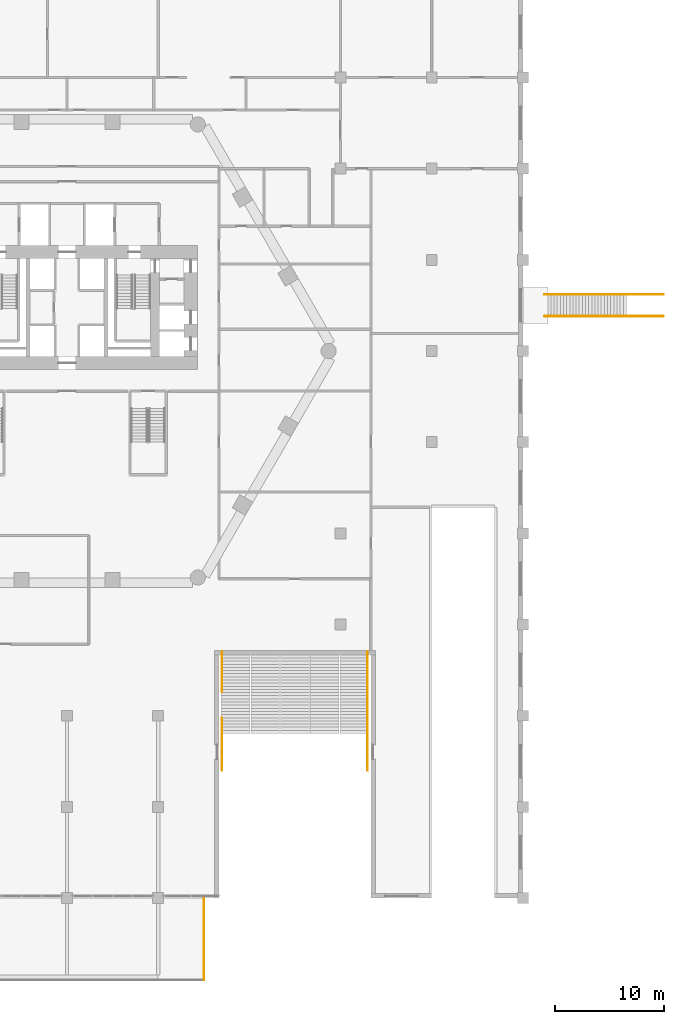
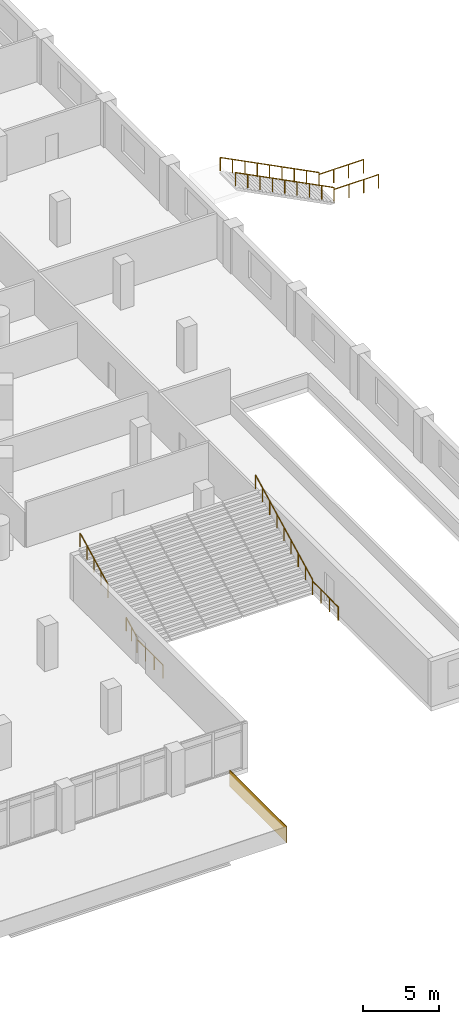
# One storey, part 22 of 24: 9 railings, 1 covering.
"""IFC4 building model written with IfcOpenShell, lengths in metres."""

from ifc_helpers import new_model, si_unit, direction, frame, origin, origin_2d, place, context, subcontext, project, spatial, polyline, circle, outline, extrude, material, layer, layer_set, type_object, element, save


model = new_model("IFC4")

# Units and contexts
model_context = context("Model", 3, precision=1e-05, world=origin(), true_north=direction((0.0, 1.0)))
body_context = subcontext(model_context, "Body", "Model", "MODEL_VIEW")
ifc_project = project(units=[si_unit("LENGTHUNIT", "METRE"), si_unit("AREAUNIT", "SQUARE_METRE"), si_unit("VOLUMEUNIT", "CUBIC_METRE"), si_unit("PLANEANGLEUNIT", "RADIAN"), si_unit("MASSUNIT", "GRAM", prefix="KILO")], contexts=[model_context])

# Site, building, storey
site_placement = place(None, origin())
site = spatial("IfcSite", under=ifc_project, at=site_placement, CompositionType="ELEMENT")
building_placement = place(site_placement, origin())
building = spatial("IfcBuilding", under=site, at=building_placement, Name="Ostrander Bayou Hotel Tower", CompositionType="ELEMENT")
storey_placement = place(building_placement, frame((0.0, 0.0, 6.0)))
storey = spatial("IfcBuildingStorey", under=building, at=storey_placement, Name="L01", CompositionType="ELEMENT", Elevation=6.0)

# Covering
ifc_material_1 = material(Name="Reconstituted stone panels", Category="masonry")
ifc_layer = layer(ifc_material_1, 0.0400390625)
ifc_layer_set = layer_set([ifc_layer], Name="CV4 canopy fascia 40 mm")
covering_type = type_object("IfcCoveringType", Name="CV4 canopy fascia 40 mm", PredefinedType="CLADDING", material=ifc_layer_set)
covering_placement = place(storey_placement, frame((12.64990234375, -57.949951171875, -1.0), z_axis=(1.0, 0.0, 0.0), x_axis=(0.0, 1.0, 0.0)))
element("IfcCovering", 1, at=covering_placement, inside=storey, type_object=covering_type, Name="CV4 canopy fascia east", PredefinedType="CLADDING", context=body_context, shape_type="SweptSolid", body=[
    extrude(outline(polyline([(0.0, 0.0), (7.550048828125, 0.0), (7.550048828125, 1.300048828125), (0.0, 1.300048828125), (0.0, 0.0)])), origin(), (0.0, 0.0, -1.0), 0.0400390625),
])

# Railings
ifc_material_2 = material(Name="Stainless steel and clear glass", Category="steel")
railing_type = type_object("IfcRailingType", Name="GR1 guard 1100 mm", PredefinedType="GUARDRAIL", material=ifc_material_2)
railing_1_placement = place(storey_placement, frame((14.300048828125, -38.639892578125, 0.0)))
element("IfcRailing", 2, at=railing_1_placement, inside=storey, type_object=railing_type, Name="GR1 stair guard WT", PredefinedType="GUARDRAIL", context=body_context, shape_type="SweptSolid", body=[
    extrude(circle(Radius=0.02490234375, at=origin_2d()), frame((0.0, 0.0, 1.0751953125), z_axis=(0.0, 1.0, 0.0), x_axis=(-1.0, 0.0, 0.0)), (0.0, 0.0, 1.0), 3.39990234375),
    extrude(circle(Radius=0.02001953125, at=origin_2d()), origin(), (0.0, 0.0, 1.0), 1.050048828125),
    extrude(circle(Radius=0.02001953125, at=origin_2d()), frame((0.0, 1.13330078125, 0.0)), (0.0, 0.0, 1.0), 1.050048828125),
    extrude(circle(Radius=0.02001953125, at=origin_2d()), frame((0.0, 2.2666015625, 0.0)), (0.0, 0.0, 1.0), 1.050048828125),
    extrude(circle(Radius=0.02001953125, at=origin_2d()), frame((0.0, 3.39990234375, 0.0)), (0.0, 0.0, 1.0), 1.050048828125),
])
railing_2_placement = place(storey_placement, frame((14.300048828125, -35.239990234375, 0.148193359375)))
element("IfcRailing", 3, at=railing_2_placement, inside=storey, type_object=railing_type, Name="GR1 stair guard WB", PredefinedType="GUARDRAIL", context=body_context, shape_type="SweptSolid", body=[
    extrude(circle(Radius=0.02490234375, at=origin_2d()), frame((0.0, 0.0, 1.0751953125), z_axis=(0.0, 0.890528484064, 0.454927487705), x_axis=(-1.0, 0.0, 0.0)), (0.0, 0.0, 1.0), 1.616943359375),
    extrude(circle(Radius=0.02001953125, at=origin_2d()), origin(), (0.0, 0.0, 1.0), 1.050048828125),
    extrude(circle(Radius=0.02001953125, at=origin_2d()), frame((0.0, 0.719970703125, 0.36767578125)), (0.0, 0.0, 1.0), 1.050048828125),
    extrude(circle(Radius=0.02001953125, at=origin_2d()), frame((0.0, 1.43994140625, 0.735595703125)), (0.0, 0.0, 1.0), 1.050048828125),
])
railing_3_placement = place(storey_placement, frame((14.300048828125, -31.39990234375, 2.10986328125)))
element("IfcRailing", 4, at=railing_3_placement, inside=storey, type_object=railing_type, Name="GR1 stair guard WB", PredefinedType="GUARDRAIL", context=body_context, shape_type="SweptSolid", body=[
    extrude(circle(Radius=0.02490234375, at=origin_2d()), frame((0.0, 0.0, 1.0751953125), z_axis=(0.0, 0.890527269154, 0.454929865905), x_axis=(-1.0, 0.0, 0.0)), (0.0, 0.0, 1.0), 4.15478515625),
    extrude(circle(Radius=0.02001953125, at=origin_2d()), origin(), (0.0, 0.0, 1.0), 1.050048828125),
    extrude(circle(Radius=0.02001953125, at=origin_2d()), frame((0.0, 0.925048828125, 0.47265625)), (0.0, 0.0, 1.0), 1.050048828125),
    extrude(circle(Radius=0.02001953125, at=origin_2d()), frame((0.0, 1.85009765625, 0.945068359375)), (0.0, 0.0, 1.0), 1.050048828125),
    extrude(circle(Radius=0.02001953125, at=origin_2d()), frame((0.0, 2.77490234375, 1.41748046875)), (0.0, 0.0, 1.0), 1.050048828125),
    extrude(circle(Radius=0.02001953125, at=origin_2d()), frame((0.0, 3.699951171875, 1.89013671875)), (0.0, 0.0, 1.0), 1.050048828125),
])
railing_4_placement = place(storey_placement, frame((27.699951171875, -38.639892578125, 0.0)))
element("IfcRailing", 5, at=railing_4_placement, inside=storey, type_object=railing_type, Name="GR1 stair guard ET", PredefinedType="GUARDRAIL", context=body_context, shape_type="SweptSolid", body=[
    extrude(circle(Radius=0.02490234375, at=origin_2d()), frame((0.0, 0.0, 1.0751953125), z_axis=(0.0, 1.0, 0.0), x_axis=(-1.0, 0.0, 0.0)), (0.0, 0.0, 1.0), 3.39990234375),
    extrude(circle(Radius=0.02001953125, at=origin_2d()), origin(), (0.0, 0.0, 1.0), 1.050048828125),
    extrude(circle(Radius=0.02001953125, at=origin_2d()), frame((0.0, 1.13330078125, 0.0)), (0.0, 0.0, 1.0), 1.050048828125),
    extrude(circle(Radius=0.02001953125, at=origin_2d()), frame((0.0, 2.2666015625, 0.0)), (0.0, 0.0, 1.0), 1.050048828125),
    extrude(circle(Radius=0.02001953125, at=origin_2d()), frame((0.0, 3.39990234375, 0.0)), (0.0, 0.0, 1.0), 1.050048828125),
])
railing_5_placement = place(storey_placement, frame((27.699951171875, -35.239990234375, 0.148193359375)))
element("IfcRailing", 6, at=railing_5_placement, inside=storey, type_object=railing_type, Name="GR1 stair guard EB", PredefinedType="GUARDRAIL", context=body_context, shape_type="SweptSolid", body=[
    extrude(circle(Radius=0.02490234375, at=origin_2d()), frame((0.0, 0.0, 1.0751953125), z_axis=(0.0, 0.890529961599, 0.454924595394), x_axis=(-1.0, 0.0, 0.0)), (0.0, 0.0, 1.0), 8.466796875),
    extrude(circle(Radius=0.02001953125, at=origin_2d()), origin(), (0.0, 0.0, 1.0), 1.050048828125),
    extrude(circle(Radius=0.02001953125, at=origin_2d()), frame((0.0, 0.9423828125, 0.4814453125)), (0.0, 0.0, 1.0), 1.050048828125),
    extrude(circle(Radius=0.02001953125, at=origin_2d()), frame((0.0, 1.885009765625, 0.962890625)), (0.0, 0.0, 1.0), 1.050048828125),
    extrude(circle(Radius=0.02001953125, at=origin_2d()), frame((0.0, 2.82763671875, 1.4443359375)), (0.0, 0.0, 1.0), 1.050048828125),
    extrude(circle(Radius=0.02001953125, at=origin_2d()), frame((0.0, 3.77001953125, 1.92578125)), (0.0, 0.0, 1.0), 1.050048828125),
    extrude(circle(Radius=0.02001953125, at=origin_2d()), frame((0.0, 4.71240234375, 2.407470703125)), (0.0, 0.0, 1.0), 1.050048828125),
    extrude(circle(Radius=0.02001953125, at=origin_2d()), frame((0.0, 5.655029296875, 2.888916015625)), (0.0, 0.0, 1.0), 1.050048828125),
    extrude(circle(Radius=0.02001953125, at=origin_2d()), frame((0.0, 6.59765625, 3.370361328125)), (0.0, 0.0, 1.0), 1.050048828125),
    extrude(circle(Radius=0.02001953125, at=origin_2d()), frame((0.0, 7.5400390625, 3.851806640625)), (0.0, 0.0, 1.0), 1.050048828125),
])
railing_6_placement = place(storey_placement, frame((54.93994140625, 3.199951171875, 0.0)))
element("IfcRailing", 7, at=railing_6_placement, inside=storey, type_object=railing_type, Name="GR1 deck stair guard ELT", PredefinedType="GUARDRAIL", context=body_context, shape_type="SweptSolid", body=[
    extrude(circle(Radius=0.02490234375, at=origin_2d()), frame((0.0, 0.0, 1.0751953125), z_axis=(-1.0, 0.0, 0.0), x_axis=(0.0, -1.0, 0.0)), (0.0, 0.0, 1.0), 3.39990234375),
    extrude(circle(Radius=0.02001953125, at=origin_2d()), origin(), (0.0, 0.0, 1.0), 1.050048828125),
    extrude(circle(Radius=0.02001953125, at=origin_2d()), frame((-1.13330078125, 0.0, 0.0)), (0.0, 0.0, 1.0), 1.050048828125),
    extrude(circle(Radius=0.02001953125, at=origin_2d()), frame((-2.2666015625, 0.0, 0.0)), (0.0, 0.0, 1.0), 1.050048828125),
    extrude(circle(Radius=0.02001953125, at=origin_2d()), frame((-3.39990234375, 0.0, 0.0)), (0.0, 0.0, 1.0), 1.050048828125),
])
railing_7_placement = place(storey_placement, frame((51.5400390625, 3.199951171875, 0.148193359375)))
element("IfcRailing", 8, at=railing_7_placement, inside=storey, type_object=railing_type, Name="GR1 deck stair guard ELB", PredefinedType="GUARDRAIL", context=body_context, shape_type="SweptSolid", body=[
    extrude(circle(Radius=0.02490234375, at=origin_2d()), frame((0.0, 0.0, 1.0751953125), z_axis=(-0.890529961599, 0.0, 0.454924595394), x_axis=(0.0, -1.0, 0.0)), (0.0, 0.0, 1.0), 8.466796875),
    extrude(circle(Radius=0.02001953125, at=origin_2d()), origin(), (0.0, 0.0, 1.0), 1.050048828125),
    extrude(circle(Radius=0.02001953125, at=origin_2d()), frame((-0.9423828125, 0.0, 0.4814453125)), (0.0, 0.0, 1.0), 1.050048828125),
    extrude(circle(Radius=0.02001953125, at=origin_2d()), frame((-1.885009765625, 0.0, 0.962890625)), (0.0, 0.0, 1.0), 1.050048828125),
    extrude(circle(Radius=0.02001953125, at=origin_2d()), frame((-2.82763671875, 0.0, 1.4443359375)), (0.0, 0.0, 1.0), 1.050048828125),
    extrude(circle(Radius=0.02001953125, at=origin_2d()), frame((-3.77001953125, 0.0, 1.92578125)), (0.0, 0.0, 1.0), 1.050048828125),
    extrude(circle(Radius=0.02001953125, at=origin_2d()), frame((-4.71240234375, 0.0, 2.407470703125)), (0.0, 0.0, 1.0), 1.050048828125),
    extrude(circle(Radius=0.02001953125, at=origin_2d()), frame((-5.655029296875, 0.0, 2.888916015625)), (0.0, 0.0, 1.0), 1.050048828125),
    extrude(circle(Radius=0.02001953125, at=origin_2d()), frame((-6.59765625, 0.0, 3.370361328125)), (0.0, 0.0, 1.0), 1.050048828125),
    extrude(circle(Radius=0.02001953125, at=origin_2d()), frame((-7.5400390625, 0.0, 3.851806640625)), (0.0, 0.0, 1.0), 1.050048828125),
])
railing_8_placement = place(storey_placement, frame((54.93994140625, 5.199951171875, 0.0)))
element("IfcRailing", 9, at=railing_8_placement, inside=storey, type_object=railing_type, Name="GR1 deck stair guard ERT", PredefinedType="GUARDRAIL", context=body_context, shape_type="SweptSolid", body=[
    extrude(circle(Radius=0.02490234375, at=origin_2d()), frame((0.0, 0.0, 1.0751953125), z_axis=(-1.0, 0.0, 0.0), x_axis=(0.0, -1.0, 0.0)), (0.0, 0.0, 1.0), 3.39990234375),
    extrude(circle(Radius=0.02001953125, at=origin_2d()), origin(), (0.0, 0.0, 1.0), 1.050048828125),
    extrude(circle(Radius=0.02001953125, at=origin_2d()), frame((-1.13330078125, 0.0, 0.0)), (0.0, 0.0, 1.0), 1.050048828125),
    extrude(circle(Radius=0.02001953125, at=origin_2d()), frame((-2.2666015625, 0.0, 0.0)), (0.0, 0.0, 1.0), 1.050048828125),
    extrude(circle(Radius=0.02001953125, at=origin_2d()), frame((-3.39990234375, 0.0, 0.0)), (0.0, 0.0, 1.0), 1.050048828125),
])
railing_9_placement = place(storey_placement, frame((51.5400390625, 5.199951171875, 0.148193359375)))
element("IfcRailing", 10, at=railing_9_placement, inside=storey, type_object=railing_type, Name="GR1 deck stair guard ERB", PredefinedType="GUARDRAIL", context=body_context, shape_type="SweptSolid", body=[
    extrude(circle(Radius=0.02490234375, at=origin_2d()), frame((0.0, 0.0, 1.0751953125), z_axis=(-0.890529961599, 0.0, 0.454924595394), x_axis=(0.0, -1.0, 0.0)), (0.0, 0.0, 1.0), 8.466796875),
    extrude(circle(Radius=0.02001953125, at=origin_2d()), origin(), (0.0, 0.0, 1.0), 1.050048828125),
    extrude(circle(Radius=0.02001953125, at=origin_2d()), frame((-0.9423828125, 0.0, 0.4814453125)), (0.0, 0.0, 1.0), 1.050048828125),
    extrude(circle(Radius=0.02001953125, at=origin_2d()), frame((-1.885009765625, 0.0, 0.962890625)), (0.0, 0.0, 1.0), 1.050048828125),
    extrude(circle(Radius=0.02001953125, at=origin_2d()), frame((-2.82763671875, 0.0, 1.4443359375)), (0.0, 0.0, 1.0), 1.050048828125),
    extrude(circle(Radius=0.02001953125, at=origin_2d()), frame((-3.77001953125, 0.0, 1.92578125)), (0.0, 0.0, 1.0), 1.050048828125),
    extrude(circle(Radius=0.02001953125, at=origin_2d()), frame((-4.71240234375, 0.0, 2.407470703125)), (0.0, 0.0, 1.0), 1.050048828125),
    extrude(circle(Radius=0.02001953125, at=origin_2d()), frame((-5.655029296875, 0.0, 2.888916015625)), (0.0, 0.0, 1.0), 1.050048828125),
    extrude(circle(Radius=0.02001953125, at=origin_2d()), frame((-6.59765625, 0.0, 3.370361328125)), (0.0, 0.0, 1.0), 1.050048828125),
    extrude(circle(Radius=0.02001953125, at=origin_2d()), frame((-7.5400390625, 0.0, 3.851806640625)), (0.0, 0.0, 1.0), 1.050048828125),
])

save(model, "model.ifc")
